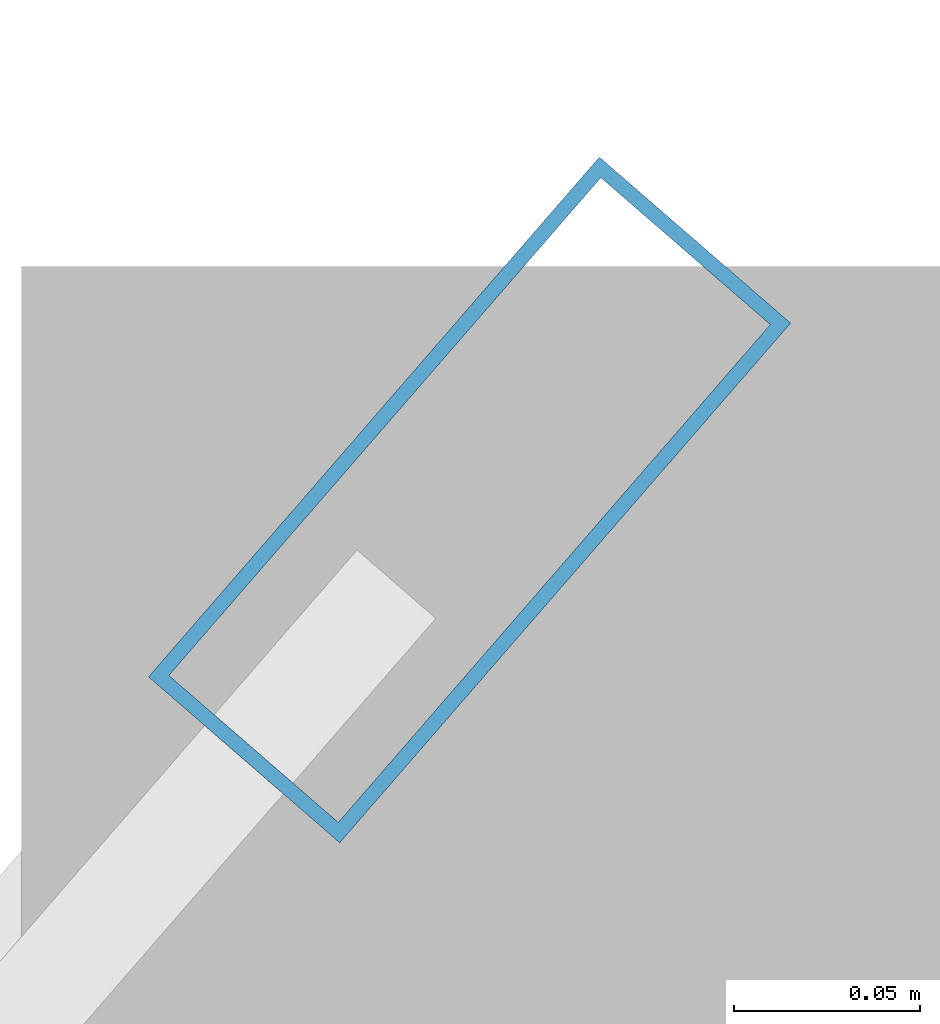
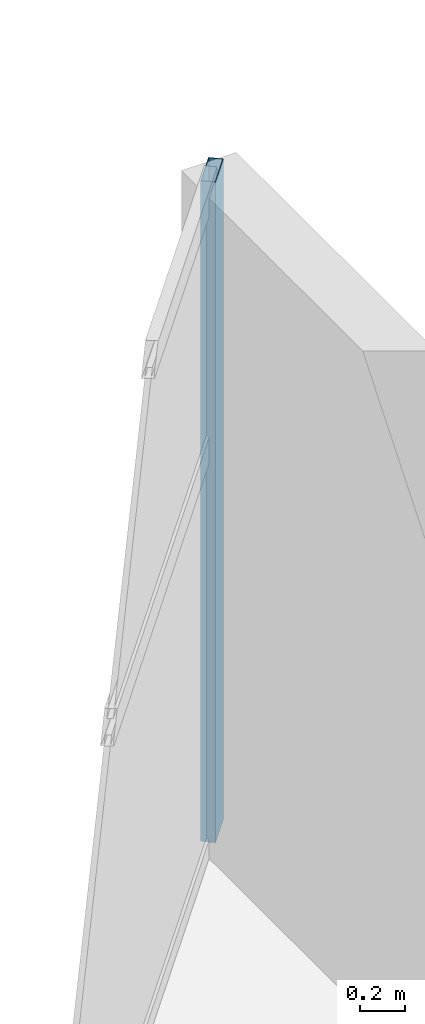
# One storey, part 21 of 28: 1 member, 1 element without a shape of its own.
"""IFC4 building model written with IfcOpenShell, lengths in metres."""

from ifc_helpers import new_model, si_unit, direction, frame, origin, origin_2d, place, context, subcontext, project, spatial, hollow_rectangle, extrude, material, layer, layer_set, material_profile, profile_set, type_object, element, aggregate, save


model = new_model("IFC4")

# Units and contexts
model_context = context("Model", 3, precision=1e-05, world=origin(), true_north=direction((0.0, 1.0)))
body_context = subcontext(model_context, "Body", "Model", "MODEL_VIEW")
ifc_project = project(units=[si_unit("LENGTHUNIT", "METRE"), si_unit("AREAUNIT", "SQUARE_METRE"), si_unit("VOLUMEUNIT", "CUBIC_METRE"), si_unit("PLANEANGLEUNIT", "RADIAN"), si_unit("MASSUNIT", "GRAM", prefix="KILO")], contexts=[model_context])

# Site, building, storey
site_placement = place(None, origin())
site = spatial("IfcSite", under=ifc_project, at=site_placement, CompositionType="ELEMENT")
building_placement = place(site_placement, origin())
building = spatial("IfcBuilding", under=site, at=building_placement, Name="Calvorn Quay Hotel", CompositionType="ELEMENT")
storey_placement = place(building_placement, frame((0.0, 0.0, 243.800048828125)))
storey = spatial("IfcBuildingStorey", under=building, at=storey_placement, Name="L60", CompositionType="ELEMENT", Elevation=243.800048828125)

# Curtain wall, member
ifc_material_1 = material(Name="Champagne Bronze Anodised Aluminium and Low-E Glass", Category="aluminium")
ifc_layer = layer(ifc_material_1, 0.219970703125)
ifc_layer_set = layer_set([ifc_layer], Name="CW-SYS-Z3")
curtain_wall_type = type_object("IfcCurtainWallType", Name="CW-SYS-Z3", PredefinedType="NOTDEFINED", material=ifc_layer_set)
curtain_wall_placement = place(storey_placement, origin())
curtain_wall = element("IfcCurtainWall", 1, at=curtain_wall_placement, inside=storey, type_object=curtain_wall_type, Name="Inner Court Curtain Wall L60-NE1", PredefinedType="NOTDEFINED")
ifc_material_2 = material(Name="Champagne Bronze Anodised Aluminium 6063-T6", Category="aluminium")
ifc_material_profile = material_profile(ifc_material_2, hollow_rectangle(XDim=0.068115234375, YDim=0.18505859375, WallThickness=0.00390625, at=origin_2d()), Name="ALU-M185x68x4")
ifc_profile_set = profile_set([ifc_material_profile], Name="Champagne Bronze Anodised Aluminium 6063-T6")
member_type = type_object("IfcMemberType", Name="CW-SYS-Z3-MUL", PredefinedType="MULLION", material=ifc_profile_set)
member_placement = place(storey_placement, frame((33.38037109375, 37.977294921875, 0.0), z_axis=(0.0, 0.0, 1.0), x_axis=(0.755322467304, -0.655353317216, 0.0)))
member = element("IfcMember", 2, at=member_placement, type_object=member_type, Name="CW-L60-NE1 mullion 1", PredefinedType="MULLION", context=body_context, shape_type="SweptSolid", body=[
    extrude(hollow_rectangle(XDim=0.068115234375, YDim=0.18505859375, WallThickness=0.00390625, at=origin_2d()), origin(), (0.0, 0.0, 1.0), 3.56005859375),
])
aggregate(curtain_wall, [member])

save(model, "model.ifc")
